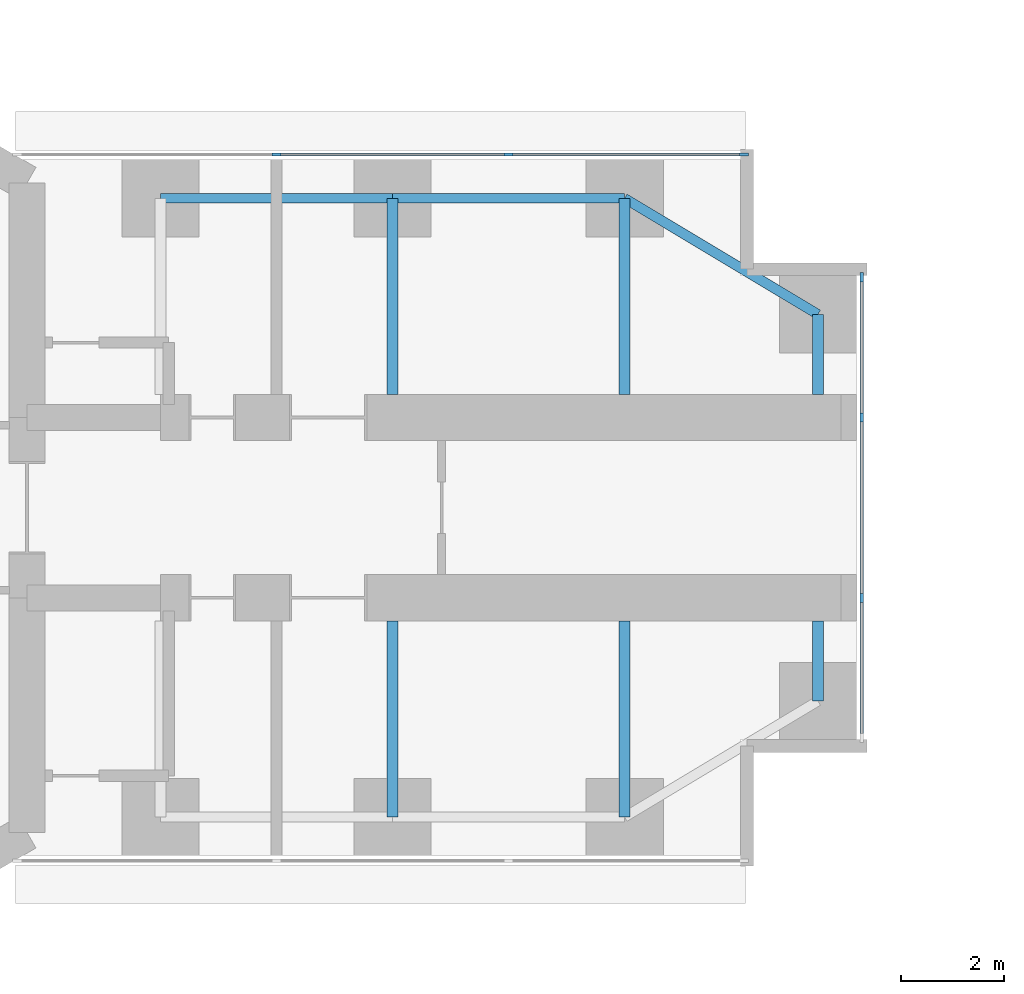
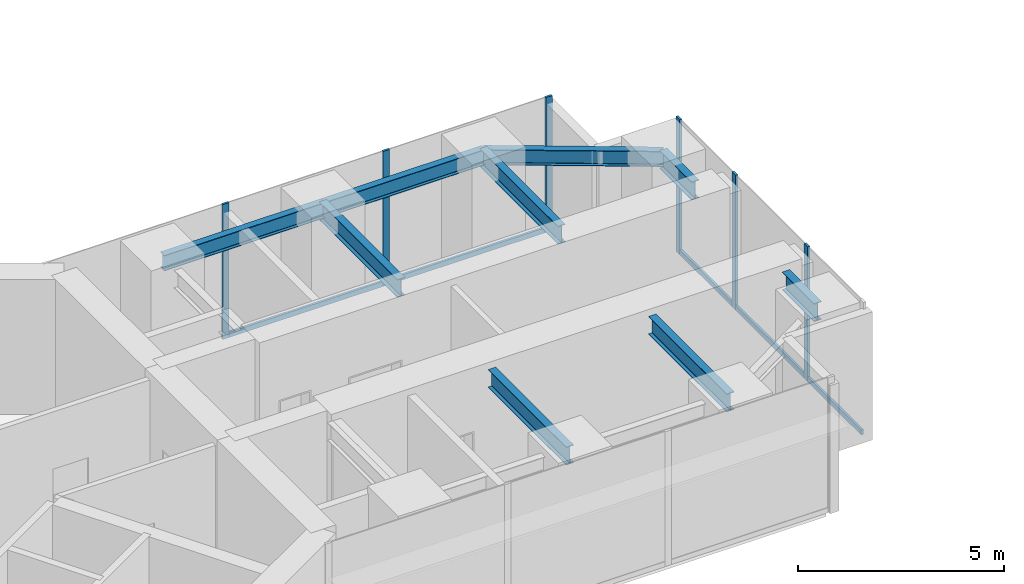
# One storey, part 8 of 23: 11 members, 9 beams, 2 elements without a shape of their own.
"""IFC4 building model written with IfcOpenShell, lengths in metres."""

from ifc_helpers import new_model, si_unit, direction, frame, origin, origin_2d, place, context, subcontext, project, spatial, rectangle, i_section, extrude, material, material_profile, profile_set, type_object, element, aggregate, save


model = new_model("IFC4")

# Units and contexts
model_context = context("Model", 3, precision=1e-05, world=origin(), true_north=direction((0.0, 1.0)))
body_context = subcontext(model_context, "Body", "Model", "MODEL_VIEW")
ifc_project = project(units=[si_unit("LENGTHUNIT", "METRE"), si_unit("AREAUNIT", "SQUARE_METRE"), si_unit("VOLUMEUNIT", "CUBIC_METRE"), si_unit("PLANEANGLEUNIT", "RADIAN"), si_unit("MASSUNIT", "GRAM", prefix="KILO")], contexts=[model_context])

# Site, building, storey
site_placement = place(None, origin())
site = spatial("IfcSite", under=ifc_project, at=site_placement, CompositionType="ELEMENT")
building_placement = place(site_placement, origin())
building = spatial("IfcBuilding", under=site, at=building_placement, Name="Upepo Twin Towers", CompositionType="ELEMENT")
storey_placement = place(building_placement, frame((0.0, 0.0, 32.5)))
storey = spatial("IfcBuildingStorey", under=building, at=storey_placement, Name="L07", CompositionType="ELEMENT", Elevation=32.5)

# Beams
ifc_material_1 = material(Name="Steel S355", Category="steel")
ifc_material_profile_1 = material_profile(ifc_material_1, i_section(OverallWidth=0.1904296875, OverallDepth=0.45703125, WebThickness=0.009033203125, FlangeThickness=0.014404296875, FilletRadius=0.01025390625, at=origin_2d()), Name="UB 457x191x74")
ifc_profile_set_1 = profile_set([ifc_material_profile_1], Name="Steel S355")
beam_type_1 = type_object("IfcBeamType", Name="Beam UB 457x191x74", PredefinedType="BEAM", material=ifc_profile_set_1)
for number, where, z_axis, x_axis, name in (
    (1, (13.5, 6.0, 3.571533203125), (1.0, 0.0, 0.0), (0.0, 1.0, 0.0), "T1 edge beam AL 13.5-18.0"),
    (2, (18.0, 6.0, 3.571533203125), (1.0, 0.0, 0.0), (0.0, 1.0, 0.0), "T1 edge beam AL 18.0-22.5"),
):
    element("IfcBeam", number, at=place(storey_placement, frame(where, z_axis=z_axis, x_axis=x_axis)), inside=storey, type_object=beam_type_1, Name=name, PredefinedType="BEAM", context=body_context, shape_type="SweptSolid", body=[
        extrude(i_section(OverallWidth=0.1904296875, OverallDepth=0.45703125, WebThickness=0.009033203125, FlangeThickness=0.014404296875, FilletRadius=0.01025390625, at=origin_2d()), origin(), (0.0, 0.0, 1.0), 4.5),
    ])
beam_placement = place(storey_placement, frame((22.5, 6.0, 3.571533203125), z_axis=(0.857492925713, -0.514495755428, 0.0), x_axis=(0.514495755428, 0.857492925713, 0.0)))
element("IfcBeam", 3, at=beam_placement, inside=storey, type_object=beam_type_1, Name="T1 nose edge beam AL", PredefinedType="BEAM", context=body_context, shape_type="SweptSolid", body=[
    extrude(i_section(OverallWidth=0.1904296875, OverallDepth=0.45703125, WebThickness=0.009033203125, FlangeThickness=0.014404296875, FilletRadius=0.01025390625, at=origin_2d()), origin(), (0.0, 0.0, 1.0), 4.373291015625),
])
ifc_material_2 = material(Name="Steel S355", Category="steel")
ifc_material_profile_2 = material_profile(ifc_material_2, i_section(OverallWidth=0.2099609375, OverallDepth=0.53662109375, WebThickness=0.0107421875, FlangeThickness=0.017333984375, FilletRadius=0.0126953125, at=origin_2d()), Name="UB 533x210x101")
ifc_profile_set_2 = profile_set([ifc_material_profile_2], Name="Steel S355")
beam_type_2 = type_object("IfcBeamType", Name="Beam UB 533x210x101", PredefinedType="BEAM", material=ifc_profile_set_2)
for number, where, z_axis, x_axis, name in (
    (4, (26.25, 3.75, 3.53173828125), (0.0, -1.0, 0.0), (1.0, 0.0, 0.0), "T1 nose beam AL"),
    (5, (26.25, -3.75, 3.53173828125), (0.0, 1.0, 0.0), (-1.0, 0.0, 0.0), "T1 nose beam AR"),
):
    element("IfcBeam", number, at=place(storey_placement, frame(where, z_axis=z_axis, x_axis=x_axis)), inside=storey, type_object=beam_type_2, Name=name, PredefinedType="BEAM", context=body_context, shape_type="SweptSolid", body=[
        extrude(i_section(OverallWidth=0.2099609375, OverallDepth=0.53662109375, WebThickness=0.0107421875, FlangeThickness=0.017333984375, FilletRadius=0.0126953125, at=origin_2d()), origin(), (0.0, 0.0, 1.0), 1.550048828125),
    ])
ifc_material_3 = material(Name="Steel S355", Category="steel")
ifc_material_profile_3 = material_profile(ifc_material_3, i_section(OverallWidth=0.209228515625, OverallDepth=0.533203125, WebThickness=0.010009765625, FlangeThickness=0.015625, FilletRadius=0.0126953125, at=origin_2d()), Name="UB 533x210x92")
ifc_profile_set_3 = profile_set([ifc_material_profile_3], Name="Steel S355")
beam_type_3 = type_object("IfcBeamType", Name="Beam UB 533x210x92", PredefinedType="BEAM", material=ifc_profile_set_3)
for number, where, z_axis, x_axis, name in (
    (6, (18.0, 6.0, 3.533447265625), (0.0, -1.0, 0.0), (1.0, 0.0, 0.0), "T1 girder AL at 18.0"),
    (7, (22.5, 6.0, 3.533447265625), (0.0, -1.0, 0.0), (1.0, 0.0, 0.0), "T1 girder AL at 22.5"),
    (8, (18.0, -6.0, 3.533447265625), (0.0, 1.0, 0.0), (-1.0, 0.0, 0.0), "T1 girder AR at 18.0"),
    (9, (22.5, -6.0, 3.533447265625), (0.0, 1.0, 0.0), (-1.0, 0.0, 0.0), "T1 girder AR at 22.5"),
):
    element("IfcBeam", number, at=place(storey_placement, frame(where, z_axis=z_axis, x_axis=x_axis)), inside=storey, type_object=beam_type_3, Name=name, PredefinedType="BEAM", context=body_context, shape_type="SweptSolid", body=[
        extrude(i_section(OverallWidth=0.209228515625, OverallDepth=0.533203125, WebThickness=0.010009765625, FlangeThickness=0.015625, FilletRadius=0.0126953125, at=origin_2d()), origin(), (0.0, 0.0, 1.0), 3.800048828125),
    ])

# Curtain wall, members
ifc_material_4 = material(Name="Aluminium and fritted glass", Category="aluminium")
curtain_wall_type = type_object("IfcCurtainWallType", Name="Tower curtain wall TW1, fritted glass", PredefinedType="NOTDEFINED", material=ifc_material_4)
curtain_wall_1_placement = place(storey_placement, origin())
curtain_wall_1 = element("IfcCurtainWall", 10, at=curtain_wall_1_placement, inside=storey, type_object=curtain_wall_type, Name="T1 L07 wing A flank L curtain wall", PredefinedType="NOTDEFINED")
ifc_material_5 = material(Name="Aluminium mullion", Category="aluminium")
ifc_material_profile_4 = material_profile(ifc_material_5, rectangle(XDim=0.06494140625, YDim=0.179931640625, at=origin_2d()), Name="MULLION 65x180")
ifc_profile_set_4 = profile_set([ifc_material_profile_4], Name="Aluminium mullion")
member_type_1 = type_object("IfcMemberType", Name="Mullion 65x180 TW1", PredefinedType="MULLION", material=ifc_profile_set_4)
member_1_placement = place(storey_placement, frame((15.75, 6.85009765625, 0.0), z_axis=(0.0, 0.0, 1.0), x_axis=(0.0, 1.0, 0.0)))
member_1 = element("IfcMember", 11, at=member_1_placement, type_object=member_type_1, Name="T1 L07 wing A flank L curtain wall mullion 2", PredefinedType="MULLION", context=body_context, shape_type="SweptSolid", body=[
    extrude(rectangle(XDim=0.06494140625, YDim=0.179931640625, at=origin_2d()), origin(), (0.0, 0.0, 1.0), 4.0),
])
member_2_placement = place(storey_placement, frame((20.25, 6.85009765625, 0.0), z_axis=(0.0, 0.0, 1.0), x_axis=(0.0, 1.0, 0.0)))
member_2 = element("IfcMember", 12, at=member_2_placement, type_object=member_type_1, Name="T1 L07 wing A flank L curtain wall mullion 3", PredefinedType="MULLION", context=body_context, shape_type="SweptSolid", body=[
    extrude(rectangle(XDim=0.06494140625, YDim=0.179931640625, at=origin_2d()), origin(), (0.0, 0.0, 1.0), 4.0),
])
member_3_placement = place(storey_placement, frame((24.8173828125, 6.85009765625, 0.0), z_axis=(0.0, 0.0, 1.0), x_axis=(0.0, 1.0, 0.0)))
member_3 = element("IfcMember", 13, at=member_3_placement, type_object=member_type_1, Name="T1 L07 wing A flank L curtain wall mullion 4", PredefinedType="MULLION", context=body_context, shape_type="SweptSolid", body=[
    extrude(rectangle(XDim=0.06494140625, YDim=0.179931640625, at=origin_2d()), origin(), (0.0, 0.0, 1.0), 4.0),
])

curtain_wall_2_placement = place(storey_placement, origin())
curtain_wall_2 = element("IfcCurtainWall", 14, at=curtain_wall_2_placement, inside=storey, type_object=curtain_wall_type, Name="T1 L07 wing A nose curtain wall", PredefinedType="NOTDEFINED")
member_4_placement = place(storey_placement, frame((27.10009765625, -1.75, 0.0), z_axis=(0.0, 0.0, 1.0), x_axis=(-1.0, 0.0, 0.0)))
member_4 = element("IfcMember", 15, at=member_4_placement, type_object=member_type_1, Name="T1 L07 wing A nose curtain wall mullion 2", PredefinedType="MULLION", context=body_context, shape_type="SweptSolid", body=[
    extrude(rectangle(XDim=0.06494140625, YDim=0.179931640625, at=origin_2d()), origin(), (0.0, 0.0, 1.0), 4.0),
])
member_5_placement = place(storey_placement, frame((27.10009765625, 1.75, 0.0), z_axis=(0.0, 0.0, 1.0), x_axis=(-1.0, 0.0, 0.0)))
member_5 = element("IfcMember", 16, at=member_5_placement, type_object=member_type_1, Name="T1 L07 wing A nose curtain wall mullion 3", PredefinedType="MULLION", context=body_context, shape_type="SweptSolid", body=[
    extrude(rectangle(XDim=0.06494140625, YDim=0.179931640625, at=origin_2d()), origin(), (0.0, 0.0, 1.0), 4.0),
])
member_6_placement = place(storey_placement, frame((27.10009765625, 4.467529296875, 0.0), z_axis=(0.0, 0.0, 1.0), x_axis=(-1.0, 0.0, 0.0)))
member_6 = element("IfcMember", 17, at=member_6_placement, type_object=member_type_1, Name="T1 L07 wing A nose curtain wall mullion 4", PredefinedType="MULLION", context=body_context, shape_type="SweptSolid", body=[
    extrude(rectangle(XDim=0.06494140625, YDim=0.179931640625, at=origin_2d()), origin(), (0.0, 0.0, 1.0), 4.0),
])

# Member
ifc_material_6 = material(Name="Aluminium transom", Category="aluminium")
ifc_material_profile_5 = material_profile(ifc_material_6, rectangle(XDim=0.06494140625, YDim=0.14990234375, at=origin_2d()), Name="TRANSOM 65x150")
ifc_profile_set_5 = profile_set([ifc_material_profile_5], Name="Aluminium transom")
member_type_2 = type_object("IfcMemberType", Name="Transom 65x150 TW1", PredefinedType="USERDEFINED", material=ifc_profile_set_5)
member_7_placement = place(storey_placement, frame((15.782470703125, 6.85009765625, 0.074951171875), z_axis=(1.0, 0.0, 0.0), x_axis=(0.0, 1.0, 0.0)))
member_7 = element("IfcMember", 18, at=member_7_placement, type_object=member_type_2, Name="T1 L07 wing A flank L curtain wall transom 2", ObjectType="TRANSOM", PredefinedType="USERDEFINED", context=body_context, shape_type="SweptSolid", body=[
    extrude(rectangle(XDim=0.06494140625, YDim=0.14990234375, at=origin_2d()), origin(), (0.0, 0.0, 1.0), 4.43505859375),
])

member_8_placement = place(storey_placement, frame((20.282470703125, 6.85009765625, 0.074951171875), z_axis=(1.0, 0.0, 0.0), x_axis=(0.0, 1.0, 0.0)))
member_8 = element("IfcMember", 19, at=member_8_placement, type_object=member_type_2, Name="T1 L07 wing A flank L curtain wall transom 3", ObjectType="TRANSOM", PredefinedType="USERDEFINED", context=body_context, shape_type="SweptSolid", body=[
    extrude(rectangle(XDim=0.06494140625, YDim=0.14990234375, at=origin_2d()), origin(), (0.0, 0.0, 1.0), 4.50244140625),
])

aggregate(curtain_wall_1, [member_1, member_2, member_3, member_7, member_8])

member_9_placement = place(storey_placement, frame((27.10009765625, -4.43505859375, 0.074951171875), z_axis=(0.0, 1.0, 0.0), x_axis=(-1.0, 0.0, 0.0)))
member_9 = element("IfcMember", 20, at=member_9_placement, type_object=member_type_2, Name="T1 L07 wing A nose curtain wall transom 1", ObjectType="TRANSOM", PredefinedType="USERDEFINED", context=body_context, shape_type="SweptSolid", body=[
    extrude(rectangle(XDim=0.06494140625, YDim=0.14990234375, at=origin_2d()), origin(), (0.0, 0.0, 1.0), 2.652587890625),
])

member_10_placement = place(storey_placement, frame((27.10009765625, -1.717529296875, 0.074951171875), z_axis=(0.0, 1.0, 0.0), x_axis=(-1.0, 0.0, 0.0)))
member_10 = element("IfcMember", 21, at=member_10_placement, type_object=member_type_2, Name="T1 L07 wing A nose curtain wall transom 2", ObjectType="TRANSOM", PredefinedType="USERDEFINED", context=body_context, shape_type="SweptSolid", body=[
    extrude(rectangle(XDim=0.06494140625, YDim=0.14990234375, at=origin_2d()), origin(), (0.0, 0.0, 1.0), 3.43505859375),
])

member_11_placement = place(storey_placement, frame((27.10009765625, 1.782470703125, 0.074951171875), z_axis=(0.0, 1.0, 0.0), x_axis=(-1.0, 0.0, 0.0)))
member_11 = element("IfcMember", 22, at=member_11_placement, type_object=member_type_2, Name="T1 L07 wing A nose curtain wall transom 3", ObjectType="TRANSOM", PredefinedType="USERDEFINED", context=body_context, shape_type="SweptSolid", body=[
    extrude(rectangle(XDim=0.06494140625, YDim=0.14990234375, at=origin_2d()), origin(), (0.0, 0.0, 1.0), 2.652587890625),
])

aggregate(curtain_wall_2, [member_4, member_5, member_6, member_9, member_10, member_11])

save(model, "model.ifc")
